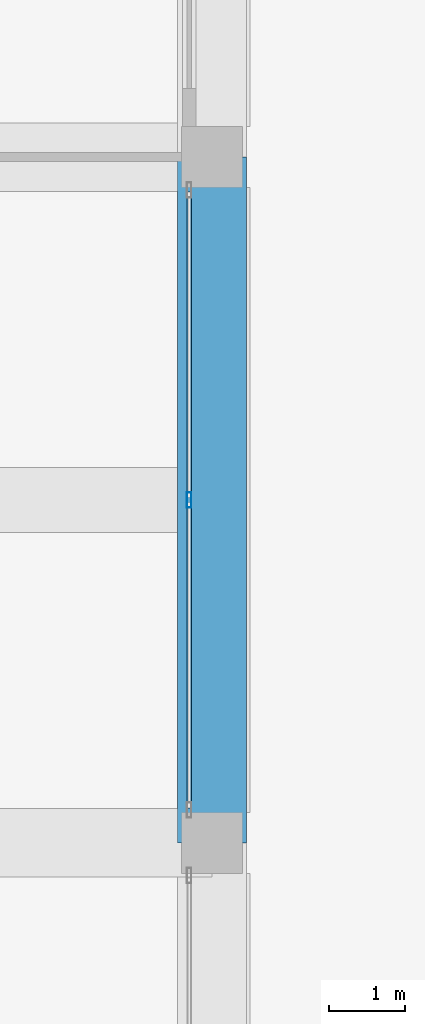
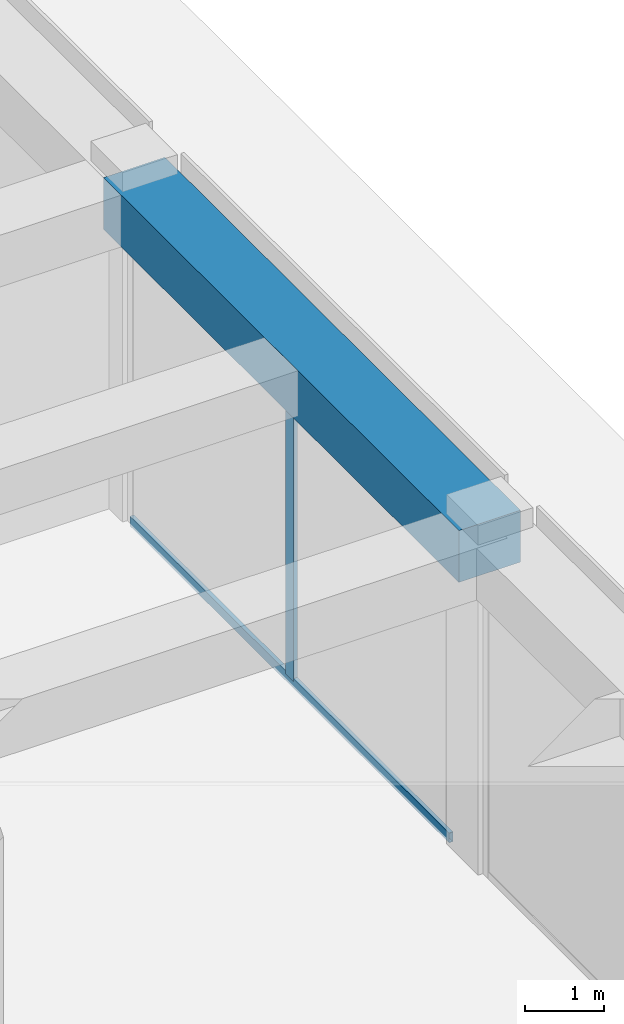
# One storey, part 34 of 56: 2 members, 1 beam, 1 element without a shape of its own.
"""IFC4 building model written with IfcOpenShell, lengths in metres."""

from ifc_helpers import new_model, si_unit, direction, frame, origin, origin_2d, place, context, subcontext, project, spatial, rectangle, hollow_rectangle, extrude, material, material_profile, profile_set, type_object, element, aggregate, save


model = new_model("IFC4")

# Units and contexts
model_context = context("Model", 3, precision=1e-05, world=origin(), true_north=direction((0.0, 1.0)))
body_context = subcontext(model_context, "Body", "Model", "MODEL_VIEW")
ifc_project = project(units=[si_unit("LENGTHUNIT", "METRE"), si_unit("AREAUNIT", "SQUARE_METRE"), si_unit("VOLUMEUNIT", "CUBIC_METRE"), si_unit("PLANEANGLEUNIT", "RADIAN"), si_unit("MASSUNIT", "GRAM", prefix="KILO")], contexts=[model_context])

# Site, building, storey
site_placement = place(None, origin())
site = spatial("IfcSite", under=ifc_project, at=site_placement, CompositionType="ELEMENT")
building_placement = place(site_placement, origin())
building = spatial("IfcBuilding", under=site, at=building_placement, Name="Zorevar Civic Tower", CompositionType="ELEMENT")
storey_placement = place(building_placement, origin())
storey = spatial("IfcBuildingStorey", under=building, at=storey_placement, Name="L00", CompositionType="ELEMENT", Elevation=0.0)

# Curtain wall, members
ifc_material_1 = material(Name="Dark grey solar-control glass in black aluminium frame", Category="aluminium")
curtain_wall_type = type_object("IfcCurtainWallType", Name="Curtain wall CW1 podium", PredefinedType="NOTDEFINED", material=ifc_material_1)
curtain_wall_placement = place(storey_placement, origin())
curtain_wall = element("IfcCurtainWall", 1, at=curtain_wall_placement, inside=storey, type_object=curtain_wall_type, Name="CW1 L00", PredefinedType="NOTDEFINED")
ifc_material_2 = material(Name="Aluminium, black anodised", Category="aluminium")
ifc_material_profile_1 = material_profile(ifc_material_2, hollow_rectangle(XDim=0.06005859375, YDim=0.199951171875, WallThickness=0.00390625, at=origin_2d()), Name="AL 200x60x4")
ifc_profile_set_1 = profile_set([ifc_material_profile_1], Name="Aluminium, black anodised")
member_type_1 = type_object("IfcMemberType", Name="CW1 mullion AL 200x60x4", PredefinedType="MULLION", material=ifc_profile_set_1)
member_1_placement = place(storey_placement, frame((71.699951171875, 31.5, 0.06005859375), z_axis=(0.0, 0.0, 1.0), x_axis=(-1.0, 0.0, 0.0)))
member_1 = element("IfcMember", 2, at=member_1_placement, type_object=member_type_1, Name="CW1 mullion 2", PredefinedType="MULLION", context=body_context, shape_type="SweptSolid", body=[
    extrude(hollow_rectangle(XDim=0.06005859375, YDim=0.199951171875, WallThickness=0.00390625, at=origin_2d()), origin(), (0.0, 0.0, 1.0), 4.239990234375),
])
ifc_material_3 = material(Name="Aluminium, black anodised", Category="aluminium")
ifc_material_profile_2 = material_profile(ifc_material_3, hollow_rectangle(XDim=0.06005859375, YDim=0.14990234375, WallThickness=0.00390625, at=origin_2d()), Name="AL 150x60x4")
ifc_profile_set_2 = profile_set([ifc_material_profile_2], Name="Aluminium, black anodised")
member_type_2 = type_object("IfcMemberType", Name="CW1 transom AL 150x60x4", PredefinedType="USERDEFINED", material=ifc_profile_set_2)
member_2_placement = place(storey_placement, frame((71.699951171875, 27.4599609375, 0.030029296875), z_axis=(0.0, 1.0, 0.0), x_axis=(-1.0, 0.0, 0.0)))
member_2 = element("IfcMember", 3, at=member_2_placement, type_object=member_type_2, Name="CW1 sill transom", ObjectType="TRANSOM", PredefinedType="USERDEFINED", context=body_context, shape_type="SweptSolid", body=[
    extrude(hollow_rectangle(XDim=0.06005859375, YDim=0.14990234375, WallThickness=0.00390625, at=origin_2d()), origin(), (0.0, 0.0, 1.0), 8.080078125),
])
aggregate(curtain_wall, [member_1, member_2])

# Beam
ifc_material_4 = material(Name="Concrete C50/60", Category="concrete")
ifc_material_profile_3 = material_profile(ifc_material_4, rectangle(XDim=0.89990234375, YDim=0.800048828125, at=origin_2d()), Name="RC 900x800")
ifc_profile_set_3 = profile_set([ifc_material_profile_3], Name="Concrete C50/60")
beam_type = type_object("IfcBeamType", Name="Edge beam RC 900x800", PredefinedType="SPANDREL", material=ifc_profile_set_3)
beam_placement = place(storey_placement, frame((72.0, 27.0, 4.699951171875), z_axis=(0.0, 1.0, 0.0), x_axis=(-1.0, 0.0, 0.0)))
element("IfcBeam", 4, at=beam_placement, inside=storey, type_object=beam_type, Name="Edge beam L01", PredefinedType="SPANDREL", context=body_context, shape_type="SweptSolid", body=[
    extrude(rectangle(XDim=0.89990234375, YDim=0.800048828125, at=origin_2d()), origin(), (0.0, 0.0, 1.0), 9.0),
])

save(model, "model.ifc")
